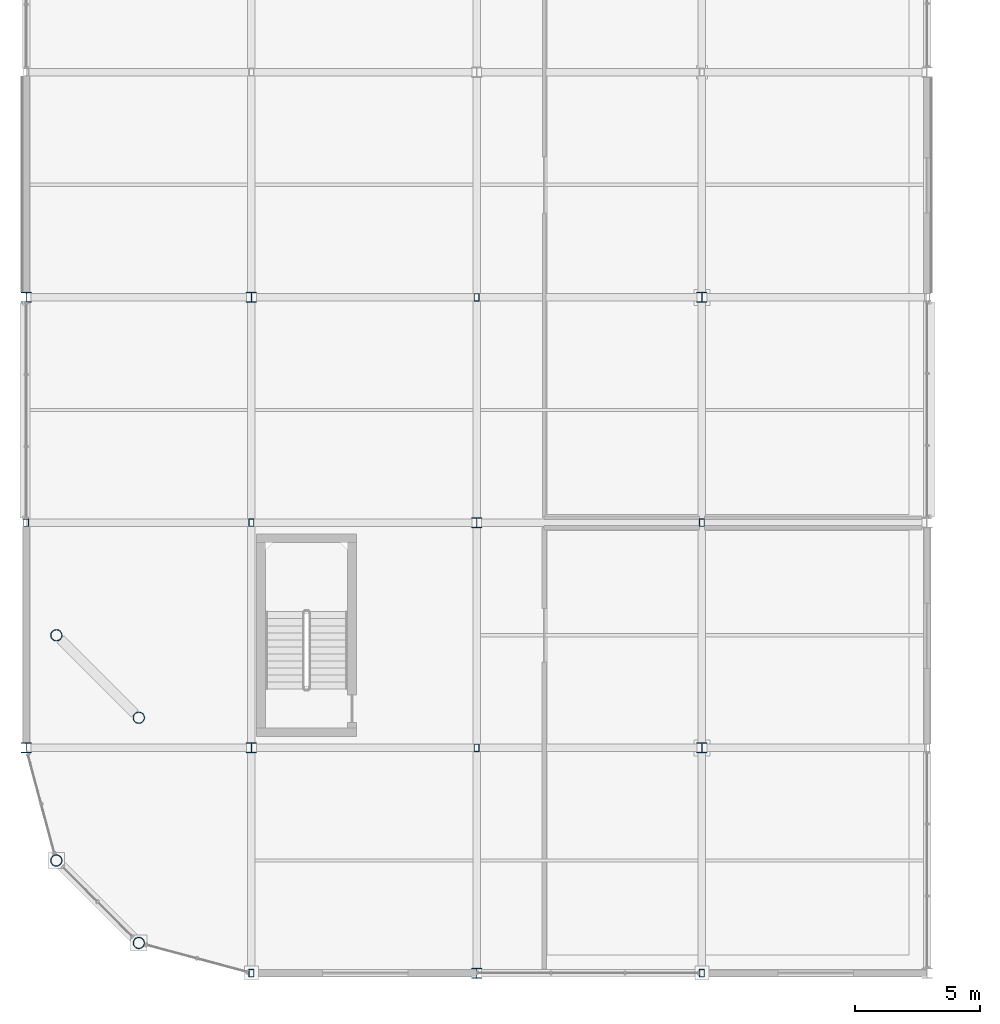
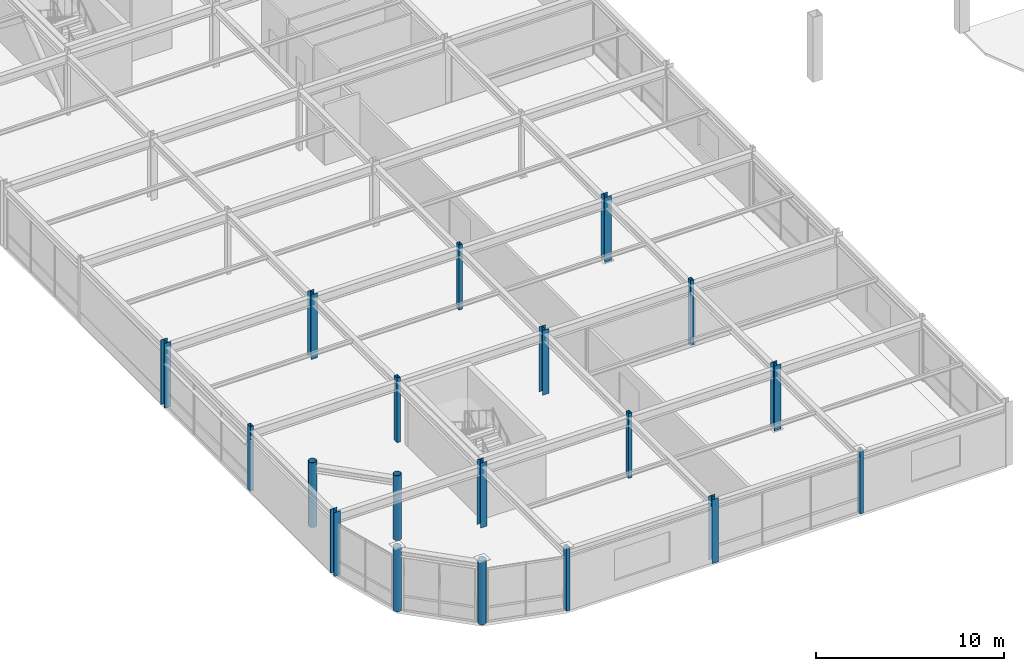
# One storey, part 1 of 105: 19 columns.
"""IFC4 building model written with IfcOpenShell, lengths in metres."""

from ifc_helpers import new_model, si_unit, direction, frame, origin, origin_2d, place, context, subcontext, project, spatial, hollow_rectangle, hollow_circle, i_section, extrude, material, material_profile, profile_set, type_object, element, save


model = new_model("IFC4")

# Units and contexts
model_context = context("Model", 3, precision=1e-05, world=origin(), true_north=direction((0.0, 1.0)))
body_context = subcontext(model_context, "Body", "Model", "MODEL_VIEW")
ifc_project = project(units=[si_unit("LENGTHUNIT", "METRE"), si_unit("AREAUNIT", "SQUARE_METRE"), si_unit("VOLUMEUNIT", "CUBIC_METRE"), si_unit("PLANEANGLEUNIT", "RADIAN"), si_unit("MASSUNIT", "GRAM", prefix="KILO")], contexts=[model_context])

# Site, building, storey
site_placement = place(None, origin())
site = spatial("IfcSite", under=ifc_project, at=site_placement, CompositionType="ELEMENT")
building_placement = place(site_placement, origin())
building = spatial("IfcBuilding", under=site, at=building_placement, Name="Suzunagisa Mobility Hub", CompositionType="ELEMENT")
storey_placement = place(building_placement, frame((0.0, 0.0, 5.10009765625)))
storey = spatial("IfcBuildingStorey", under=building, at=storey_placement, Name="L01", CompositionType="ELEMENT", Elevation=5.10009765625)

# Columns
ifc_material = material(Name="Steel SN490B", Category="steel")
ifc_material_profile_1 = material_profile(ifc_material, hollow_circle(Radius=0.228515625, WallThickness=0.01611328125, at=origin_2d()), Name="CHS-457.2x16.0")
ifc_profile_set_1 = profile_set([ifc_material_profile_1], Name="Steel SN490B")
column_type_1 = type_object("IfcColumnType", Name="Steel Column CL-08 CHS-457.2x16.0", PredefinedType="COLUMN", material=ifc_profile_set_1)
column_1_placement = place(storey_placement, frame((1.205810546875, 4.5, 0.0), z_axis=(0.0, 0.0, 1.0), x_axis=(1.0, 0.0, 0.0)))
element("IfcColumn", 1, at=column_1_placement, inside=storey, type_object=column_type_1, Name="L01 Column 11", PredefinedType="COLUMN", context=body_context, shape_type="SweptSolid", body=[
    extrude(hollow_circle(Radius=0.228515625, WallThickness=0.01611328125, at=origin_2d()), origin(), (0.0, 0.0, 1.0), 4.139892578125),
])
column_2_placement = place(storey_placement, frame((1.205810546875, 13.5, 0.0), z_axis=(0.0, 0.0, 1.0), x_axis=(1.0, 0.0, 0.0)))
element("IfcColumn", 2, at=column_2_placement, inside=storey, type_object=column_type_1, Name="L01 Column 12", PredefinedType="COLUMN", context=body_context, shape_type="SweptSolid", body=[
    extrude(hollow_circle(Radius=0.228515625, WallThickness=0.01611328125, at=origin_2d()), origin(), (0.0, 0.0, 1.0), 4.199951171875),
])
column_3_placement = place(storey_placement, frame((4.5, 1.205810546875, 0.0), z_axis=(0.0, 0.0, 1.0), x_axis=(1.0, 0.0, 0.0)))
element("IfcColumn", 3, at=column_3_placement, inside=storey, type_object=column_type_1, Name="L01 Column 16", PredefinedType="COLUMN", context=body_context, shape_type="SweptSolid", body=[
    extrude(hollow_circle(Radius=0.228515625, WallThickness=0.01611328125, at=origin_2d()), origin(), (0.0, 0.0, 1.0), 4.139892578125),
])
column_4_placement = place(storey_placement, frame((4.5, 10.205810546875, 0.0), z_axis=(0.0, 0.0, 1.0), x_axis=(1.0, 0.0, 0.0)))
element("IfcColumn", 4, at=column_4_placement, inside=storey, type_object=column_type_1, Name="L01 Column 17", PredefinedType="COLUMN", context=body_context, shape_type="SweptSolid", body=[
    extrude(hollow_circle(Radius=0.228515625, WallThickness=0.01611328125, at=origin_2d()), origin(), (0.0, 0.0, 1.0), 4.199951171875),
])
ifc_material_profile_2 = material_profile(ifc_material, i_section(OverallWidth=0.39990234375, OverallDepth=0.39990234375, WebThickness=0.012939453125, FlangeThickness=0.02099609375, FilletRadius=0.01611328125, at=origin_2d()), Name="H-400x400x13x21")
ifc_profile_set_2 = profile_set([ifc_material_profile_2], Name="Steel SN490B")
column_type_2 = type_object("IfcColumnType", Name="Steel Column CL-10 H-400x400x13x21", PredefinedType="COLUMN", material=ifc_profile_set_2)
column_5_placement = place(storey_placement, frame((0.0, 9.0, 0.0), z_axis=(0.0, 0.0, 1.0), x_axis=(1.0, 0.0, 0.0)))
element("IfcColumn", 5, at=column_5_placement, inside=storey, type_object=column_type_2, Name="L01 Column 1", PredefinedType="COLUMN", context=body_context, shape_type="SweptSolid", body=[
    extrude(i_section(OverallWidth=0.39990234375, OverallDepth=0.39990234375, WebThickness=0.012939453125, FlangeThickness=0.02099609375, FilletRadius=0.01611328125, at=origin_2d()), origin(), (0.0, 0.0, 1.0), 4.139892578125),
])
for number, where, z_axis, x_axis, name in (
    (6, (0.0, 27.0, 0.0), (0.0, 0.0, 1.0), (1.0, 0.0, 0.0), "L01 Column 3"),
    (7, (9.0, 9.0, 0.0), (0.0, 0.0, 1.0), (1.0, 0.0, 0.0), "L01 Column 21"),
    (8, (9.0, 27.0, 0.0), (0.0, 0.0, 1.0), (1.0, 0.0, 0.0), "L01 Column 23"),
):
    element("IfcColumn", number, at=place(storey_placement, frame(where, z_axis=z_axis, x_axis=x_axis)), inside=storey, type_object=column_type_2, Name=name, PredefinedType="COLUMN", context=body_context, shape_type="SweptSolid", body=[
        extrude(i_section(OverallWidth=0.39990234375, OverallDepth=0.39990234375, WebThickness=0.012939453125, FlangeThickness=0.02099609375, FilletRadius=0.01611328125, at=origin_2d()), origin(), (0.0, 0.0, 1.0), 4.199951171875),
    ])
column_6_placement = place(storey_placement, frame((18.0, 0.0, 0.0), z_axis=(0.0, 0.0, 1.0), x_axis=(1.0, 0.0, 0.0)))
element("IfcColumn", 9, at=column_6_placement, inside=storey, type_object=column_type_2, Name="L01 Column 41", PredefinedType="COLUMN", context=body_context, shape_type="SweptSolid", body=[
    extrude(i_section(OverallWidth=0.39990234375, OverallDepth=0.39990234375, WebThickness=0.012939453125, FlangeThickness=0.02099609375, FilletRadius=0.01611328125, at=origin_2d()), origin(), (0.0, 0.0, 1.0), 4.139892578125),
])
for number, where, z_axis, x_axis, name in (
    (10, (18.0, 18.0, 0.0), (0.0, 0.0, 1.0), (1.0, 0.0, 0.0), "L01 Column 43"),
    (11, (27.0, 9.0, 0.0), (0.0, 0.0, 1.0), (1.0, 0.0, 0.0), "L01 Column 63"),
    (12, (27.0, 27.0, 0.0), (0.0, 0.0, 1.0), (1.0, 0.0, 0.0), "L01 Column 65"),
):
    element("IfcColumn", number, at=place(storey_placement, frame(where, z_axis=z_axis, x_axis=x_axis)), inside=storey, type_object=column_type_2, Name=name, PredefinedType="COLUMN", context=body_context, shape_type="SweptSolid", body=[
        extrude(i_section(OverallWidth=0.39990234375, OverallDepth=0.39990234375, WebThickness=0.012939453125, FlangeThickness=0.02099609375, FilletRadius=0.01611328125, at=origin_2d()), origin(), (0.0, 0.0, 1.0), 4.199951171875),
    ])
ifc_material_profile_3 = material_profile(ifc_material, hollow_rectangle(XDim=0.199951171875, YDim=0.300048828125, WallThickness=0.011962890625, at=origin_2d()), Name="RHS-300x200x12")
ifc_profile_set_3 = profile_set([ifc_material_profile_3], Name="Steel SN490B")
column_type_3 = type_object("IfcColumnType", Name="Steel Column CL-15 RHS-300x200x12", PredefinedType="COLUMN", material=ifc_profile_set_3)
column_7_placement = place(storey_placement, frame((0.0, 18.0, 0.0), z_axis=(0.0, 0.0, 1.0), x_axis=(1.0, 0.0, 0.0)))
element("IfcColumn", 13, at=column_7_placement, inside=storey, type_object=column_type_3, Name="L01 Column 2", PredefinedType="COLUMN", context=body_context, shape_type="SweptSolid", body=[
    extrude(hollow_rectangle(XDim=0.199951171875, YDim=0.300048828125, WallThickness=0.011962890625, at=origin_2d()), origin(), (0.0, 0.0, 1.0), 4.199951171875),
])
column_8_placement = place(storey_placement, frame((9.0, 0.0, 0.0), z_axis=(0.0, 0.0, 1.0), x_axis=(1.0, 0.0, 0.0)))
element("IfcColumn", 14, at=column_8_placement, inside=storey, type_object=column_type_3, Name="L01 Column 20", PredefinedType="COLUMN", context=body_context, shape_type="SweptSolid", body=[
    extrude(hollow_rectangle(XDim=0.199951171875, YDim=0.300048828125, WallThickness=0.011962890625, at=origin_2d()), origin(), (0.0, 0.0, 1.0), 4.139892578125),
])
for number, where, z_axis, x_axis, name in (
    (15, (9.0, 18.0, 0.0), (0.0, 0.0, 1.0), (1.0, 0.0, 0.0), "L01 Column 22"),
    (16, (18.0, 9.0, 0.0), (0.0, 0.0, 1.0), (1.0, 0.0, 0.0), "L01 Column 42"),
    (17, (18.0, 27.0, 0.0), (0.0, 0.0, 1.0), (1.0, 0.0, 0.0), "L01 Column 44"),
):
    element("IfcColumn", number, at=place(storey_placement, frame(where, z_axis=z_axis, x_axis=x_axis)), inside=storey, type_object=column_type_3, Name=name, PredefinedType="COLUMN", context=body_context, shape_type="SweptSolid", body=[
        extrude(hollow_rectangle(XDim=0.199951171875, YDim=0.300048828125, WallThickness=0.011962890625, at=origin_2d()), origin(), (0.0, 0.0, 1.0), 4.199951171875),
    ])
column_9_placement = place(storey_placement, frame((27.0, 0.0, 0.0), z_axis=(0.0, 0.0, 1.0), x_axis=(1.0, 0.0, 0.0)))
element("IfcColumn", 18, at=column_9_placement, inside=storey, type_object=column_type_3, Name="L01 Column 62", PredefinedType="COLUMN", context=body_context, shape_type="SweptSolid", body=[
    extrude(hollow_rectangle(XDim=0.199951171875, YDim=0.300048828125, WallThickness=0.011962890625, at=origin_2d()), origin(), (0.0, 0.0, 1.0), 4.139892578125),
])
column_10_placement = place(storey_placement, frame((27.0, 18.0, 0.0), z_axis=(0.0, 0.0, 1.0), x_axis=(1.0, 0.0, 0.0)))
element("IfcColumn", 19, at=column_10_placement, inside=storey, type_object=column_type_3, Name="L01 Column 64", PredefinedType="COLUMN", context=body_context, shape_type="SweptSolid", body=[
    extrude(hollow_rectangle(XDim=0.199951171875, YDim=0.300048828125, WallThickness=0.011962890625, at=origin_2d()), origin(), (0.0, 0.0, 1.0), 4.199951171875),
])

save(model, "model.ifc")
